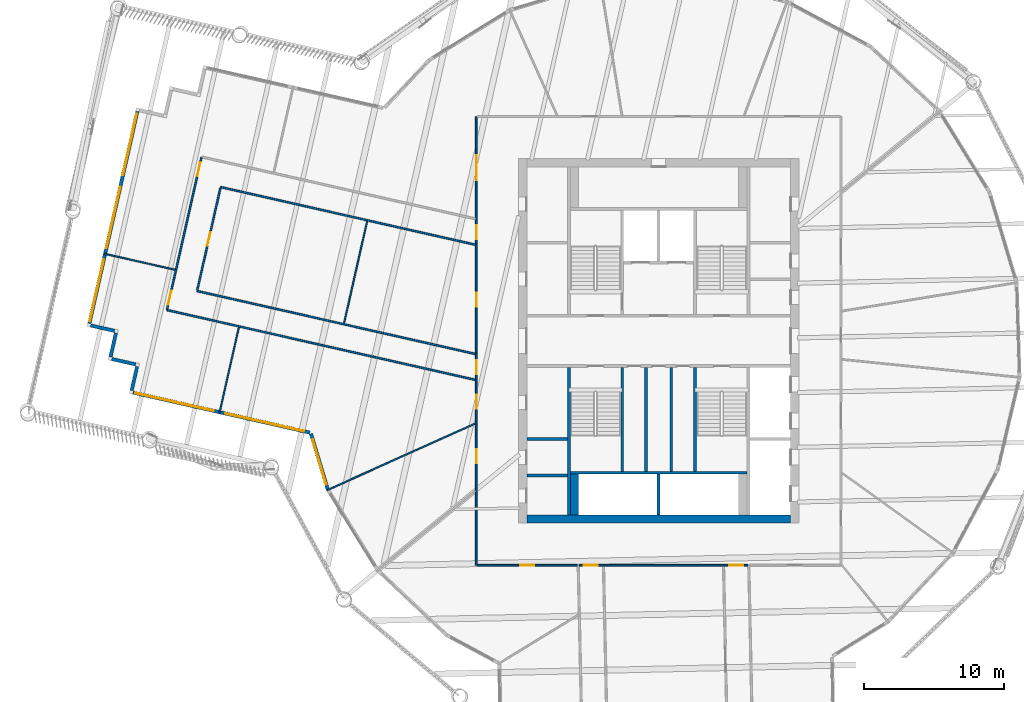
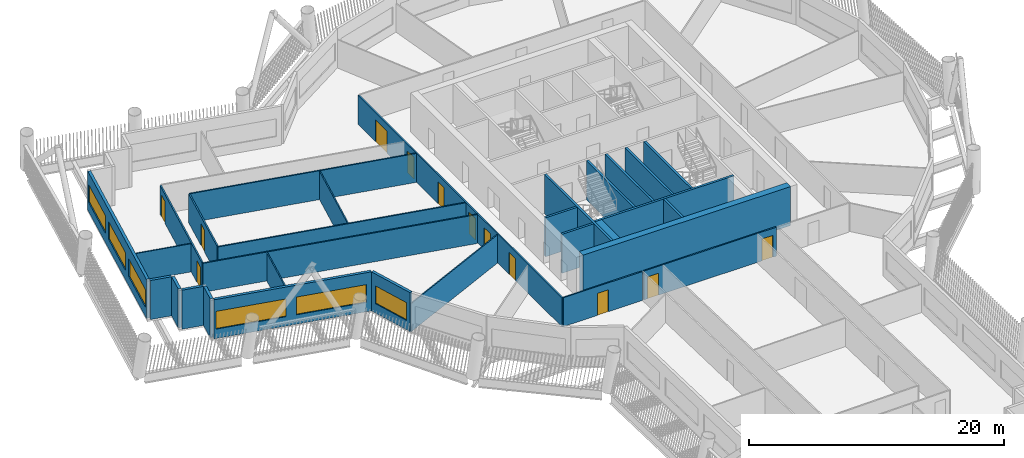
# One storey, part 4 of 23: 30 walls, 12 doors, 6 windows, 18 openings.
"""IFC4 building model written with IfcOpenShell, lengths in metres."""

import ifcopenshell
import ifcopenshell.guid

model = None  # the IFC model being written
_history = None  # IfcOwnerHistory: only IFC2X3 demands one
_inside = {}  # id of a spatial element -> (the spatial element, [elements in it])
_under = {}  # id of a project, library or spatial element -> (it, [spatial elements below it])
_declared = {}  # id of a project -> (the project, [libraries it declares])
_typed = {}  # id of a type object -> (the type object, [elements of that type])
_made_of = {}  # id of a material, layer set ... -> (it, [elements and type objects made of it])


def new_model(schema):
    """Start an empty IFC model of exactly this schema.

    Asked for "IFC4X3", IfcOpenShell would pick the latest addendum, in which some entities
    have other attributes; the version numbers below select the first issue.
    IFC2X3 requires an IfcOwnerHistory on every rooted entity: one is made here for all.
    """
    global model, _history
    if schema == "IFC4X3":
        model = ifcopenshell.file(schema_version=(4, 3, 0, 0))
    else:
        model = ifcopenshell.file(schema=schema)
    _inside.clear()
    _under.clear()
    _declared.clear()
    _typed.clear()
    _made_of.clear()
    _history = None
    if model.schema == "IFC2X3":
        org = make("IfcOrganization", Name="unknown")
        user = make(
            "IfcPersonAndOrganization",
            ThePerson=make("IfcPerson", FamilyName="unknown"),
            TheOrganization=org,
        )
        app = make(
            "IfcApplication",
            ApplicationDeveloper=org,
            Version="unknown",
            ApplicationFullName="unknown",
            ApplicationIdentifier="unknown",
        )
        _history = make(
            "IfcOwnerHistory",
            OwningUser=user,
            OwningApplication=app,
            ChangeAction="ADDED",
            CreationDate=0,
        )
    return model


def make(cls, **values):
    """One entity of the class cls with the attributes given. An attribute that is None is left unset."""
    return model.create_entity(
        cls, **{name: value for name, value in values.items() if value is not None}
    )


def rooted(cls, **values):
    """An entity with a GlobalId (a new one), such as an element, a storey or a relation."""
    return make(cls, GlobalId=ifcopenshell.guid.new(), OwnerHistory=_history, **values)


def si_unit(unit_type, name, prefix=None):
    """IfcSIUnit, for example si_unit("LENGTHUNIT", "METRE", prefix="MILLI")."""
    return make("IfcSIUnit", UnitType=unit_type, Prefix=prefix, Name=name)


def assignment(units):
    """IfcUnitAssignment: the units of a project."""
    return None if units is None else make("IfcUnitAssignment", Units=units)


def point(xyz):
    """IfcCartesianPoint."""
    return None if xyz is None else make("IfcCartesianPoint", Coordinates=xyz)


def direction(xyz):
    """IfcDirection."""
    return None if xyz is None else make("IfcDirection", DirectionRatios=xyz)


def frame(location, z_axis=None, x_axis=None):
    """IfcAxis2Placement3D, a coordinate frame: its origin and axes. An axis left out is left unset."""
    return make(
        "IfcAxis2Placement3D",
        Location=point(location),
        Axis=direction(z_axis),
        RefDirection=direction(x_axis),
    )


def frame_2d(location, x_axis=None):
    """IfcAxis2Placement2D, a coordinate frame in the plane: its origin and x axis."""
    return make(
        "IfcAxis2Placement2D", Location=point(location), RefDirection=direction(x_axis)
    )


def origin():
    """The frame at (0, 0, 0) with its axes left unset."""
    return frame((0.0, 0.0, 0.0))


def place(relative_to, where):
    """IfcLocalPlacement: puts the frame where relative to a parent placement (None: the world)."""
    return make(
        "IfcLocalPlacement", PlacementRelTo=relative_to, RelativePlacement=where
    )


def context(
    kind, dimensions, precision=None, world=None, true_north=None, identifier=None
):
    """IfcGeometricRepresentationContext, for example the 3D "Model" context."""
    return make(
        "IfcGeometricRepresentationContext",
        ContextIdentifier=identifier,
        ContextType=kind,
        CoordinateSpaceDimension=dimensions,
        Precision=precision,
        WorldCoordinateSystem=world,
        TrueNorth=true_north,
    )


def subcontext(parent, identifier, kind, view, scale=None):
    """IfcGeometricRepresentationSubContext, for example "Body" below "Model"."""
    return make(
        "IfcGeometricRepresentationSubContext",
        ContextIdentifier=identifier,
        ContextType=kind,
        ParentContext=parent,
        TargetScale=scale,
        TargetView=view,
    )


def project(units=None, contexts=None):
    """IfcProject with its units and contexts."""
    return rooted(
        "IfcProject",
        Name="project",
        RepresentationContexts=contexts,
        UnitsInContext=assignment(units),
    )


def spatial(cls, under=None, at=None, **own):
    """A site, building, storey or space (cls), placed at a placement, below another one or the project."""
    s = rooted(cls, ObjectPlacement=at, **own)
    if under is not None:
        _under.setdefault(under.id(), (under, []))[1].append(s)
    return s


def profile(cls, at=None, kind="AREA", **sizes):
    """A parametric profile (cls). Its sizes go by their IFC names, for example OverallWidth=200.0."""
    return make(cls, ProfileType=kind, Position=at, **sizes)


def rectangle(**sizes):
    """IfcRectangleProfileDef."""
    return profile("IfcRectangleProfileDef", **sizes)


def extrude(swept, where, along, depth):
    """IfcExtrudedAreaSolid: the profile swept, set in the frame where, extruded along a direction by depth."""
    return make(
        "IfcExtrudedAreaSolid",
        SweptArea=swept,
        Position=where,
        ExtrudedDirection=direction(along),
        Depth=depth,
    )


def shape(context_of_items, identifier, shape_type, items):
    """IfcShapeRepresentation: the items that make up one representation, for example the "Body"."""
    return make(
        "IfcShapeRepresentation",
        ContextOfItems=context_of_items,
        RepresentationIdentifier=identifier,
        RepresentationType=shape_type,
        Items=items,
    )


def material(Name=None, Category=None):
    """IfcMaterial."""
    return make("IfcMaterial", Name=Name, Category=Category)


def layer(
    of_material, thickness, ventilated=None, Name=None, Category=None, Priority=None
):
    """IfcMaterialLayer: one layer of a wall or slab, of a material (None: an air gap)."""
    return make(
        "IfcMaterialLayer",
        Material=of_material,
        LayerThickness=thickness,
        IsVentilated=ventilated,
        Name=Name,
        Category=Category,
        Priority=Priority,
    )


def layer_set(layers, Name=None):
    """IfcMaterialLayerSet."""
    return make("IfcMaterialLayerSet", MaterialLayers=layers, LayerSetName=Name)


def made_of(thing, what):
    """Note that an element or type object is made of a material, layer set ...; save() writes the relation."""
    if what is not None:
        _made_of.setdefault(what.id(), (what, []))[1].append(thing)
    return thing


def type_object(cls, material=None, **own):
    """A type object (cls), such as IfcWallType, which elements share."""
    return made_of(rooted(cls, **own), material)


def element(
    cls,
    number,
    at=None,
    inside=None,
    cuts=None,
    type_object=None,
    material=None,
    context=None,
    identifier="Body",
    shape_type=None,
    held_by="IfcProductDefinitionShape",
    body=None,
    shapes=None,
    **own,
):
    """One element of the class cls, such as IfcWall. Its Tag is "e" and its number.

    at: its placement. inside: the storey or other place that contains it. cuts: it is an
    opening in that element (IfcRelVoidsElement). A single representation is given by context,
    identifier, shape_type and body (its items); several are given by shapes. held_by: the class
    of the entity that holds the representations. save() writes the other relations.
    """
    e = rooted(cls, Tag="e%d" % number, ObjectPlacement=at, **own)
    if body is not None:
        shapes = [shape(context, identifier, shape_type, body)]
    if shapes is not None:
        e.Representation = make(held_by, Representations=shapes)
    if inside is not None:
        _inside.setdefault(inside.id(), (inside, []))[1].append(e)
    if cuts is not None:
        rooted(
            "IfcRelVoidsElement", RelatingBuildingElement=cuts, RelatedOpeningElement=e
        )
    if type_object is not None:
        _typed.setdefault(type_object.id(), (type_object, []))[1].append(e)
    return made_of(e, material)


def fill(opening, filler):
    """IfcRelFillsElement: the door or window that sits in an opening."""
    return rooted(
        "IfcRelFillsElement",
        RelatingOpeningElement=opening,
        RelatedBuildingElement=filler,
    )


def aggregate(whole, parts):
    """IfcRelAggregates: a whole, such as a stair, and the parts it consists of."""
    return rooted("IfcRelAggregates", RelatingObject=whole, RelatedObjects=parts)


def save(model, path):
    """Write the relations noted so far, then the file.

    IfcRelAggregates (storeys below a building ...), IfcRelContainedInSpatialStructure (elements
    in a storey), IfcRelDefinesByType, IfcRelAssociatesMaterial and IfcRelDeclares: one each for
    every whole, place, type object, material and project.
    """
    for whole, parts in _under.values():
        aggregate(whole, parts)
    for where, things in _inside.values():
        rooted(
            "IfcRelContainedInSpatialStructure",
            RelatedElements=things,
            RelatingStructure=where,
        )
    for kind, things in _typed.values():
        rooted("IfcRelDefinesByType", RelatedObjects=things, RelatingType=kind)
    for what, things in _made_of.values():
        rooted("IfcRelAssociatesMaterial", RelatedObjects=things, RelatingMaterial=what)
    for by, libraries in _declared.values():
        rooted("IfcRelDeclares", RelatingContext=by, RelatedDefinitions=libraries)
    model.write(path)


model = new_model("IFC4")

# Units and contexts
model_context = context("Model", 3, precision=1e-05, world=origin(), true_north=direction((0.0, 1.0)))
body_context = subcontext(model_context, "Body", "Model", "MODEL_VIEW")
ifc_project = project(units=[si_unit("LENGTHUNIT", "METRE"), si_unit("AREAUNIT", "SQUARE_METRE"), si_unit("VOLUMEUNIT", "CUBIC_METRE"), si_unit("PLANEANGLEUNIT", "RADIAN"), si_unit("MASSUNIT", "GRAM", prefix="KILO")], contexts=[model_context])

# Site, building, storey
site_placement = place(None, origin())
site = spatial("IfcSite", under=ifc_project, at=site_placement, CompositionType="ELEMENT")
building_placement = place(site_placement, origin())
building = spatial("IfcBuilding", under=site, at=building_placement, Name="Tarsis Ring Headquarters", CompositionType="ELEMENT")
storey_placement = place(building_placement, frame((0.0, 0.0, 231.60009765625)))
storey = spatial("IfcBuildingStorey", under=building, at=storey_placement, Name="L54", CompositionType="ELEMENT", Elevation=231.60009765625)

# Walls
ifc_material_1 = material(Name="Blockwork", Category="masonry")
ifc_layer_1 = layer(ifc_material_1, 0.199951171875)
ifc_layer_set_1 = layer_set([ifc_layer_1], Name="Core blockwork wall 200")
wall_type_1 = type_object("IfcWallType", Name="Core blockwork wall 200", PredefinedType="PARTITIONING", material=ifc_layer_set_1)
for number, where, z_axis, x_axis, name in (
    (1, (-9.39990234375, -9.60009765625, 0.0), (0.0, 0.0, 1.0), (1.0, 0.0, 0.0), "Core partition WD1"),
    (2, (-9.39990234375, -7.0, 0.0), (0.0, 0.0, 1.0), (1.0, 0.0, 0.0), "Core partition WD2"),
):
    element("IfcWall", number, at=place(storey_placement, frame(where, z_axis=z_axis, x_axis=x_axis)), inside=storey, type_object=wall_type_1, Name=name, PredefinedType="PARTITIONING", context=body_context, shape_type="SweptSolid", body=[
        extrude(rectangle(XDim=2.89990234375, YDim=0.199951171875, at=frame_2d((1.449951171875, 0.0))), origin(), (0.0, 0.0, 1.0), 3.739990234375),
    ])
for number, where, z_axis, x_axis, name in (
    (3, (-0.89990234375, -9.300048828125, 0.0), (0.0, 0.0, 1.0), (0.0, 1.0, 0.0), "Core partition SV1"),
    (4, (0.89990234375, -9.300048828125, 0.0), (0.0, 0.0, 1.0), (0.0, 1.0, 0.0), "Core partition SV2"),
):
    element("IfcWall", number, at=place(storey_placement, frame(where, z_axis=z_axis, x_axis=x_axis)), inside=storey, type_object=wall_type_1, Name=name, PredefinedType="PARTITIONING", context=body_context, shape_type="SweptSolid", body=[
        extrude(rectangle(XDim=7.400146484375, YDim=0.199951171875, at=frame_2d((3.7001953125, 0.0))), origin(), (0.0, 0.0, 1.0), 3.739990234375),
    ])
ifc_material_2 = material(Name="Concrete C50/60", Category="concrete")
ifc_layer_2 = layer(ifc_material_2, 0.60009765625)
ifc_layer_set_2 = layer_set([ifc_layer_2], Name="Core wall 600 C50/60")
wall_type_2 = type_object("IfcWallType", Name="Core wall 600 C50/60", PredefinedType="SHEAR", material=ifc_layer_set_2)
wall_1_placement = place(storey_placement, frame((-9.39990234375, -12.699951171875, 0.0), z_axis=(0.0, 0.0, 1.0), x_axis=(1.0, 0.0, 0.0)))
element("IfcWall", 5, at=wall_1_placement, inside=storey, type_object=wall_type_2, Name="Core wall OS", PredefinedType="SHEAR", context=body_context, shape_type="SweptSolid", body=[
    extrude(rectangle(XDim=18.7998046875, YDim=0.60009765625, at=frame_2d((9.39990234375, 0.0))), origin(), (0.0, 0.0, 1.0), 3.739990234375),
])
ifc_material_3 = material(Name="Gypsum board on steel studs", Category="steel")
ifc_layer_3 = layer(ifc_material_3, 0.10009765625)
ifc_layer_set_3 = layer_set([ifc_layer_3], Name="FL partition 100 unrated")
wall_type_3 = type_object("IfcWallType", Name="FL partition 100 unrated", PredefinedType="PARTITIONING", material=ifc_layer_set_3)
wall_2_placement = place(storey_placement, frame((-23.66015625, -10.653076171875, 0.0), z_axis=(0.0, 0.0, 1.0), x_axis=(0.911836896838, 0.410552644085, 0.0)))
element("IfcWall", 6, at=wall_2_placement, inside=storey, type_object=wall_type_3, Name="Partition PW3", PredefinedType="PARTITIONING", context=body_context, shape_type="SweptSolid", body=[
    extrude(rectangle(XDim=11.61083984375, YDim=0.10009765625, at=frame_2d((5.805419921875, 0.0))), origin(), (0.0, 0.0, 1.0), 2.699951171875),
])
wall_3_placement = place(storey_placement, frame((-22.4365234375, 1.256591796875, 0.0), z_axis=(0.0, 0.0, 1.0), x_axis=(0.220875579786, 0.975301993361, 0.0)))
element("IfcWall", 7, at=wall_3_placement, inside=storey, type_object=wall_type_3, Name="Partition PW3", PredefinedType="PARTITIONING", context=body_context, shape_type="SweptSolid", body=[
    extrude(rectangle(XDim=7.4599609375, YDim=0.10009765625, at=frame_2d((3.72998046875, 0.0))), origin(), (0.0, 0.0, 1.0), 2.699951171875),
])
wall_4_placement = place(storey_placement, frame((-31.322998046875, -5.1591796875, 0.0), z_axis=(0.0, 0.0, 1.0), x_axis=(0.220851468562, 0.97530745349, 0.0)))
element("IfcWall", 8, at=wall_4_placement, inside=storey, type_object=wall_type_3, Name="Partition PW3", PredefinedType="PARTITIONING", context=body_context, shape_type="SweptSolid", body=[
    extrude(rectangle(XDim=6.280029296875, YDim=0.10009765625, at=frame_2d((3.14013671875, 0.0))), origin(), (0.0, 0.0, 1.0), 2.699951171875),
])
wall_5_placement = place(storey_placement, frame((-39.552978515625, 6.219482421875, 0.0), z_axis=(0.0, 0.0, 1.0), x_axis=(0.975305843187, -0.220858579741, 0.0)))
element("IfcWall", 9, at=wall_5_placement, inside=storey, type_object=wall_type_3, Name="Partition PW3", PredefinedType="PARTITIONING", context=body_context, shape_type="SweptSolid", body=[
    extrude(rectangle(XDim=5.18994140625, YDim=0.10009765625, at=frame_2d((2.594970703125, 0.0))), origin(), (0.0, 0.0, 1.0), 2.699951171875),
])

# Wall, openings, doors
ifc_layer_4 = layer(ifc_material_3, 0.125)
ifc_layer_set_4 = layer_set([ifc_layer_4], Name="FL partition 125 EI 60 H2770")
wall_type_4 = type_object("IfcWallType", Name="FL partition 125 EI 60 H2770", PredefinedType="PARTITIONING", material=ifc_layer_set_4)
wall_6_placement = place(storey_placement, frame((-13.0, -16.0, 0.0), z_axis=(0.0, 0.0, 1.0), x_axis=(0.0, 1.0, 0.0)))
wall_6 = element("IfcWall", 10, at=wall_6_placement, inside=storey, type_object=wall_type_4, Name="Partition PW1", PredefinedType="PARTITIONING", context=body_context, shape_type="SweptSolid", body=[
    extrude(rectangle(XDim=32.0, YDim=0.125, at=frame_2d((16.0, 0.0))), origin(), (0.0, 0.0, 1.0), 2.77001953125),
])
opening_1_placement = place(wall_6_placement, frame((27.44287109375, 0.0, 0.0)))
opening_1 = element("IfcOpeningElement", 11, at=opening_1_placement, cuts=wall_6, Name="Opening D54.03", PredefinedType="OPENING", context=body_context, shape_type="SweptSolid", body=[
    extrude(rectangle(XDim=1.800048828125, YDim=2.10009765625, at=frame_2d((0.89990234375, 1.050048828125))), frame((0.0, 0.072509765625, 0.0), z_axis=(0.0, -1.0, 0.0), x_axis=(1.0, 0.0, 0.0)), (0.0, 0.0, 1.0), 0.14501953125),
])
opening_2_placement = place(wall_6_placement, frame((7.264404296875, 0.0, 0.0)))
opening_2 = element("IfcOpeningElement", 12, at=opening_2_placement, cuts=wall_6, Name="Opening D54.17", PredefinedType="OPENING", context=body_context, shape_type="SweptSolid", body=[
    extrude(rectangle(XDim=1.0, YDim=2.10009765625, at=frame_2d((0.5, 1.050048828125))), frame((0.0, 0.072509765625, 0.0), z_axis=(0.0, -1.0, 0.0), x_axis=(1.0, 0.0, 0.0)), (0.0, 0.0, 1.0), 0.14501953125),
])
opening_3_placement = place(wall_6_placement, frame((11.17431640625, 0.0, 0.0)))
opening_3 = element("IfcOpeningElement", 13, at=opening_3_placement, cuts=wall_6, Name="Opening D54.18", PredefinedType="OPENING", context=body_context, shape_type="SweptSolid", body=[
    extrude(rectangle(XDim=1.0, YDim=2.10009765625, at=frame_2d((0.5, 1.050048828125))), frame((0.0, 0.072509765625, 0.0), z_axis=(0.0, -1.0, 0.0), x_axis=(1.0, 0.0, 0.0)), (0.0, 0.0, 1.0), 0.14501953125),
])
opening_4_placement = place(wall_6_placement, frame((18.444091796875, 0.0, 0.0)))
opening_4 = element("IfcOpeningElement", 14, at=opening_4_placement, cuts=wall_6, Name="Opening D54.19", PredefinedType="OPENING", context=body_context, shape_type="SweptSolid", body=[
    extrude(rectangle(XDim=1.0, YDim=2.10009765625, at=frame_2d((0.5, 1.050048828125))), frame((0.0, 0.072509765625, 0.0), z_axis=(0.0, -1.0, 0.0), x_axis=(1.0, 0.0, 0.0)), (0.0, 0.0, 1.0), 0.14501953125),
])
opening_5_placement = place(wall_6_placement, frame((13.625, 0.0, 0.0)))
opening_5 = element("IfcOpeningElement", 15, at=opening_5_placement, cuts=wall_6, Name="Opening D54.25", PredefinedType="OPENING", context=body_context, shape_type="SweptSolid", body=[
    extrude(rectangle(XDim=1.0, YDim=2.10009765625, at=frame_2d((0.5, 1.050048828125))), frame((0.0, 0.072509765625, 0.0), z_axis=(0.0, -1.0, 0.0), x_axis=(1.0, 0.0, 0.0)), (0.0, 0.0, 1.0), 0.14501953125),
])
opening_6_placement = place(wall_6_placement, frame((23.262939453125, 0.0, 0.0)))
opening_6 = element("IfcOpeningElement", 16, at=opening_6_placement, cuts=wall_6, Name="Opening D54.26", PredefinedType="OPENING", context=body_context, shape_type="SweptSolid", body=[
    extrude(rectangle(XDim=1.0, YDim=2.10009765625, at=frame_2d((0.5, 1.050048828125))), frame((0.0, 0.072509765625, 0.0), z_axis=(0.0, -1.0, 0.0), x_axis=(1.0, 0.0, 0.0)), (0.0, 0.0, 1.0), 0.14501953125),
])
ifc_material_4 = material(Name="Fire-rated timber door leaf in steel frame", Category="steel")
door_type_1 = type_object("IfcDoorType", Name="FL door FD60-1000", OperationType="NOTDEFINED", PredefinedType="DOOR", material=ifc_material_4)
door_1_placement = place(opening_2_placement, origin())
door_1 = element("IfcDoor", 17, at=door_1_placement, inside=storey, type_object=door_type_1, Name="Door D54.17", OperationType="SINGLE_SWING_LEFT", OverallHeight=2.10009765625, OverallWidth=1.0, PredefinedType="DOOR", context=body_context, shape_type="SweptSolid", body=[
    extrude(rectangle(XDim=1.0, YDim=2.10009765625, at=frame_2d((0.5, 1.050048828125))), frame((0.0, 0.02490234375, 0.0), z_axis=(0.0, -1.0, 0.0), x_axis=(1.0, 0.0, 0.0)), (0.0, 0.0, 1.0), 0.050048828125),
])
fill(opening_2, door_1)
door_2_placement = place(opening_3_placement, origin())
door_2 = element("IfcDoor", 18, at=door_2_placement, inside=storey, type_object=door_type_1, Name="Door D54.18", OperationType="SINGLE_SWING_RIGHT", OverallHeight=2.10009765625, OverallWidth=1.0, PredefinedType="DOOR", context=body_context, shape_type="SweptSolid", body=[
    extrude(rectangle(XDim=1.0, YDim=2.10009765625, at=frame_2d((0.5, 1.050048828125))), frame((0.0, 0.02490234375, 0.0), z_axis=(0.0, -1.0, 0.0), x_axis=(1.0, 0.0, 0.0)), (0.0, 0.0, 1.0), 0.050048828125),
])
fill(opening_3, door_2)
door_3_placement = place(opening_4_placement, origin())
door_3 = element("IfcDoor", 19, at=door_3_placement, inside=storey, type_object=door_type_1, Name="Door D54.19", OperationType="SINGLE_SWING_LEFT", OverallHeight=2.10009765625, OverallWidth=1.0, PredefinedType="DOOR", context=body_context, shape_type="SweptSolid", body=[
    extrude(rectangle(XDim=1.0, YDim=2.10009765625, at=frame_2d((0.5, 1.050048828125))), frame((0.0, 0.02490234375, 0.0), z_axis=(0.0, -1.0, 0.0), x_axis=(1.0, 0.0, 0.0)), (0.0, 0.0, 1.0), 0.050048828125),
])
fill(opening_4, door_3)
door_4_placement = place(opening_5_placement, origin())
door_4 = element("IfcDoor", 20, at=door_4_placement, inside=storey, type_object=door_type_1, Name="Door D54.25", OperationType="SINGLE_SWING_LEFT", OverallHeight=2.10009765625, OverallWidth=1.0, PredefinedType="DOOR", context=body_context, shape_type="SweptSolid", body=[
    extrude(rectangle(XDim=1.0, YDim=2.10009765625, at=frame_2d((0.5, 1.050048828125))), frame((0.0, 0.02490234375, 0.0), z_axis=(0.0, -1.0, 0.0), x_axis=(1.0, 0.0, 0.0)), (0.0, 0.0, 1.0), 0.050048828125),
])
fill(opening_5, door_4)
door_5_placement = place(opening_6_placement, origin())
door_5 = element("IfcDoor", 21, at=door_5_placement, inside=storey, type_object=door_type_1, Name="Door D54.26", OperationType="SINGLE_SWING_RIGHT", OverallHeight=2.10009765625, OverallWidth=1.0, PredefinedType="DOOR", context=body_context, shape_type="SweptSolid", body=[
    extrude(rectangle(XDim=1.0, YDim=2.10009765625, at=frame_2d((0.5, 1.050048828125))), frame((0.0, 0.02490234375, 0.0), z_axis=(0.0, -1.0, 0.0), x_axis=(1.0, 0.0, 0.0)), (0.0, 0.0, 1.0), 0.050048828125),
])
fill(opening_6, door_5)
door_type_2 = type_object("IfcDoorType", Name="FL door FD60-1800", OperationType="DOUBLE_DOOR_SINGLE_SWING", PredefinedType="DOOR", material=ifc_material_4)
door_6_placement = place(opening_1_placement, origin())
door_6 = element("IfcDoor", 22, at=door_6_placement, inside=storey, type_object=door_type_2, Name="Door D54.03", OperationType="DOUBLE_DOOR_SINGLE_SWING", OverallHeight=2.10009765625, OverallWidth=1.800048828125, PredefinedType="DOOR", context=body_context, shape_type="SweptSolid", body=[
    extrude(rectangle(XDim=1.800048828125, YDim=2.10009765625, at=frame_2d((0.89990234375, 1.050048828125))), frame((0.0, 0.02490234375, 0.0), z_axis=(0.0, -1.0, 0.0), x_axis=(1.0, 0.0, 0.0)), (0.0, 0.0, 1.0), 0.050048828125),
])
fill(opening_1, door_6)

# Wall, opening, door
wall_7_placement = place(storey_placement, frame((-12.93994140625, -16.0, 0.0), z_axis=(0.0, 0.0, 1.0), x_axis=(1.0, 0.0, 0.0)))
wall_7 = element("IfcWall", 23, at=wall_7_placement, inside=storey, type_object=wall_type_4, Name="Partition PW1", PredefinedType="PARTITIONING", context=body_context, shape_type="SweptSolid", body=[
    extrude(rectangle(XDim=7.142333984375, YDim=0.125, at=frame_2d((3.5712890625, 0.0))), origin(), (0.0, 0.0, 1.0), 2.77001953125),
])
opening_7_placement = place(wall_7_placement, frame((3.072509765625, 0.0, 0.0)))
opening_7 = element("IfcOpeningElement", 24, at=opening_7_placement, cuts=wall_7, Name="Opening D54.16", PredefinedType="OPENING", context=body_context, shape_type="SweptSolid", body=[
    extrude(rectangle(XDim=1.0, YDim=2.10009765625, at=frame_2d((0.5, 1.050048828125))), frame((0.0, 0.072509765625, 0.0), z_axis=(0.0, -1.0, 0.0), x_axis=(1.0, 0.0, 0.0)), (0.0, 0.0, 1.0), 0.14501953125),
])
door_7_placement = place(opening_7_placement, origin())
door_7 = element("IfcDoor", 25, at=door_7_placement, inside=storey, type_object=door_type_1, Name="Door D54.16", OperationType="SINGLE_SWING_RIGHT", OverallHeight=2.10009765625, OverallWidth=1.0, PredefinedType="DOOR", context=body_context, shape_type="SweptSolid", body=[
    extrude(rectangle(XDim=1.0, YDim=2.10009765625, at=frame_2d((0.5, 1.050048828125))), frame((0.0, 0.02490234375, 0.0), z_axis=(0.0, -1.0, 0.0), x_axis=(1.0, 0.0, 0.0)), (0.0, 0.0, 1.0), 0.050048828125),
])
fill(opening_7, door_7)

# Wall, openings, doors
wall_8_placement = place(storey_placement, frame((-5.671142578125, -16.0, 0.0), z_axis=(0.0, 0.0, 1.0), x_axis=(1.0, 0.0, 0.0)))
wall_8 = element("IfcWall", 26, at=wall_8_placement, inside=storey, type_object=wall_type_4, Name="Partition PW1", PredefinedType="PARTITIONING", context=body_context, shape_type="SweptSolid", body=[
    extrude(rectangle(XDim=12.036376953125, YDim=0.125, at=frame_2d((6.01806640625, 0.0))), origin(), (0.0, 0.0, 1.0), 2.77001953125),
])
opening_8_placement = place(wall_8_placement, frame((0.336181640625, 0.0, 0.0)))
opening_8 = element("IfcOpeningElement", 27, at=opening_8_placement, cuts=wall_8, Name="Opening D54.23", PredefinedType="OPENING", context=body_context, shape_type="SweptSolid", body=[
    extrude(rectangle(XDim=1.0, YDim=2.10009765625, at=frame_2d((0.5, 1.050048828125))), frame((0.0, 0.072509765625, 0.0), z_axis=(0.0, -1.0, 0.0), x_axis=(1.0, 0.0, 0.0)), (0.0, 0.0, 1.0), 0.14501953125),
])
opening_9_placement = place(wall_8_placement, frame((10.69873046875, 0.0, 0.0)))
opening_9 = element("IfcOpeningElement", 28, at=opening_9_placement, cuts=wall_8, Name="Opening D54.24", PredefinedType="OPENING", context=body_context, shape_type="SweptSolid", body=[
    extrude(rectangle(XDim=1.0, YDim=2.10009765625, at=frame_2d((0.5, 1.050048828125))), frame((0.0, 0.072509765625, 0.0), z_axis=(0.0, -1.0, 0.0), x_axis=(1.0, 0.0, 0.0)), (0.0, 0.0, 1.0), 0.14501953125),
])
door_8_placement = place(opening_8_placement, origin())
door_8 = element("IfcDoor", 29, at=door_8_placement, inside=storey, type_object=door_type_1, Name="Door D54.23", OperationType="SINGLE_SWING_LEFT", OverallHeight=2.10009765625, OverallWidth=1.0, PredefinedType="DOOR", context=body_context, shape_type="SweptSolid", body=[
    extrude(rectangle(XDim=1.0, YDim=2.10009765625, at=frame_2d((0.5, 1.050048828125))), frame((0.0, 0.02490234375, 0.0), z_axis=(0.0, -1.0, 0.0), x_axis=(1.0, 0.0, 0.0)), (0.0, 0.0, 1.0), 0.050048828125),
])
fill(opening_8, door_8)
door_9_placement = place(opening_9_placement, origin())
door_9 = element("IfcDoor", 30, at=door_9_placement, inside=storey, type_object=door_type_1, Name="Door D54.24", OperationType="SINGLE_SWING_RIGHT", OverallHeight=2.10009765625, OverallWidth=1.0, PredefinedType="DOOR", context=body_context, shape_type="SweptSolid", body=[
    extrude(rectangle(XDim=1.0, YDim=2.10009765625, at=frame_2d((0.5, 1.050048828125))), frame((0.0, 0.02490234375, 0.0), z_axis=(0.0, -1.0, 0.0), x_axis=(1.0, 0.0, 0.0)), (0.0, 0.0, 1.0), 0.050048828125),
])
fill(opening_9, door_9)

# Walls
wall_9_placement = place(storey_placement, frame((-35.070068359375, 2.2001953125, 0.0), z_axis=(0.0, 0.0, 1.0), x_axis=(0.975302347121, -0.220874017714, 0.0)))
element("IfcWall", 31, at=wall_9_placement, inside=storey, type_object=wall_type_4, Name="Partition PW1", PredefinedType="PARTITIONING", context=body_context, shape_type="SweptSolid", body=[
    extrude(rectangle(XDim=22.558837890625, YDim=0.125, at=frame_2d((11.279296875, 0.0))), origin(), (0.0, 0.0, 1.0), 2.77001953125),
])
wall_10_placement = place(storey_placement, frame((-32.9169921875, 3.55810546875, 0.0), z_axis=(0.0, 0.0, 1.0), x_axis=(0.975304377075, -0.220865053952, 0.0)))
element("IfcWall", 32, at=wall_10_placement, inside=storey, type_object=wall_type_4, Name="Partition PW1", PredefinedType="PARTITIONING", context=body_context, shape_type="SweptSolid", body=[
    extrude(rectangle(XDim=20.351318359375, YDim=0.125, at=frame_2d((10.17578125, 0.0))), origin(), (0.0, 0.0, 1.0), 2.77001953125),
])
wall_11_placement = place(storey_placement, frame((-31.23828125, 10.970458984375, 0.0), z_axis=(0.0, 0.0, 1.0), x_axis=(0.975304032077, -0.220866577403, 0.0)))
element("IfcWall", 33, at=wall_11_placement, inside=storey, type_object=wall_type_4, Name="Partition PW1", PredefinedType="PARTITIONING", context=body_context, shape_type="SweptSolid", body=[
    extrude(rectangle(XDim=18.630126953125, YDim=0.125, at=frame_2d((9.31494140625, 0.0))), origin(), (0.0, 0.0, 1.0), 2.77001953125),
])

# Wall, openings, doors
wall_12_placement = place(storey_placement, frame((-35.056884765625, 2.2587890625, 0.0), z_axis=(0.0, 0.0, 1.0), x_axis=(0.220871526615, 0.975302911269, 0.0)))
wall_12 = element("IfcWall", 34, at=wall_12_placement, inside=storey, type_object=wall_type_4, Name="Partition PW1", PredefinedType="PARTITIONING", context=body_context, shape_type="SweptSolid", body=[
    extrude(rectangle(XDim=11.080078125, YDim=0.125, at=frame_2d((5.5400390625, 0.0))), origin(), (0.0, 0.0, 1.0), 2.77001953125),
])
opening_10_placement = place(wall_12_placement, frame((0.340087890625, 0.0, 0.0)))
opening_10 = element("IfcOpeningElement", 35, at=opening_10_placement, cuts=wall_12, Name="Opening D54.01", PredefinedType="OPENING", context=body_context, shape_type="SweptSolid", body=[
    extrude(rectangle(XDim=1.0, YDim=2.10009765625, at=frame_2d((0.5, 1.050048828125))), frame((0.0, 0.072509765625, 0.0), z_axis=(0.0, -1.0, 0.0), x_axis=(1.0, 0.0, 0.0)), (0.0, 0.0, 1.0), 0.14501953125),
])
opening_11_placement = place(wall_12_placement, frame((9.739990234375, 0.0, 0.0)))
opening_11 = element("IfcOpeningElement", 36, at=opening_11_placement, cuts=wall_12, Name="Opening D54.02", PredefinedType="OPENING", context=body_context, shape_type="SweptSolid", body=[
    extrude(rectangle(XDim=1.0, YDim=2.10009765625, at=frame_2d((0.5, 1.050048828125))), frame((0.0, 0.072509765625, 0.0), z_axis=(0.0, -1.0, 0.0), x_axis=(1.0, 0.0, 0.0)), (0.0, 0.0, 1.0), 0.14501953125),
])
door_10_placement = place(opening_10_placement, origin())
door_10 = element("IfcDoor", 37, at=door_10_placement, inside=storey, type_object=door_type_1, Name="Door D54.01", OperationType="SINGLE_SWING_LEFT", OverallHeight=2.10009765625, OverallWidth=1.0, PredefinedType="DOOR", context=body_context, shape_type="SweptSolid", body=[
    extrude(rectangle(XDim=1.0, YDim=2.10009765625, at=frame_2d((0.5, 1.050048828125))), frame((0.0, 0.02490234375, 0.0), z_axis=(0.0, -1.0, 0.0), x_axis=(1.0, 0.0, 0.0)), (0.0, 0.0, 1.0), 0.050048828125),
])
fill(opening_10, door_10)
door_11_placement = place(opening_11_placement, origin())
door_11 = element("IfcDoor", 38, at=door_11_placement, inside=storey, type_object=door_type_1, Name="Door D54.02", OperationType="SINGLE_SWING_RIGHT", OverallHeight=2.10009765625, OverallWidth=1.0, PredefinedType="DOOR", context=body_context, shape_type="SweptSolid", body=[
    extrude(rectangle(XDim=1.0, YDim=2.10009765625, at=frame_2d((0.5, 1.050048828125))), frame((0.0, 0.02490234375, 0.0), z_axis=(0.0, -1.0, 0.0), x_axis=(1.0, 0.0, 0.0)), (0.0, 0.0, 1.0), 0.050048828125),
])
fill(opening_11, door_11)

# Wall, opening, door
wall_13_placement = place(storey_placement, frame((-32.90380859375, 3.61669921875, 0.0), z_axis=(0.0, 0.0, 1.0), x_axis=(0.220864900439, 0.97530441184, 0.0)))
wall_13 = element("IfcWall", 39, at=wall_13_placement, inside=storey, type_object=wall_type_4, Name="Partition PW1", PredefinedType="PARTITIONING", context=body_context, shape_type="SweptSolid", body=[
    extrude(rectangle(XDim=7.480224609375, YDim=0.125, at=frame_2d((3.740234375, 0.0))), origin(), (0.0, 0.0, 1.0), 2.77001953125),
])
opening_12_placement = place(wall_13_placement, frame((3.239990234375, 0.0, 0.0)))
opening_12 = element("IfcOpeningElement", 40, at=opening_12_placement, cuts=wall_13, Name="Opening D54.20", PredefinedType="OPENING", context=body_context, shape_type="SweptSolid", body=[
    extrude(rectangle(XDim=1.0, YDim=2.10009765625, at=frame_2d((0.5, 1.050048828125))), frame((0.0, 0.072509765625, 0.0), z_axis=(0.0, -1.0, 0.0), x_axis=(1.0, 0.0, 0.0)), (0.0, 0.0, 1.0), 0.14501953125),
])
door_12_placement = place(opening_12_placement, origin())
door_12 = element("IfcDoor", 41, at=door_12_placement, inside=storey, type_object=door_type_1, Name="Door D54.20", OperationType="SINGLE_SWING_RIGHT", OverallHeight=2.10009765625, OverallWidth=1.0, PredefinedType="DOOR", context=body_context, shape_type="SweptSolid", body=[
    extrude(rectangle(XDim=1.0, YDim=2.10009765625, at=frame_2d((0.5, 1.050048828125))), frame((0.0, 0.02490234375, 0.0), z_axis=(0.0, -1.0, 0.0), x_axis=(1.0, 0.0, 0.0)), (0.0, 0.0, 1.0), 0.050048828125),
])
fill(opening_12, door_12)

# Wall, openings, windows
ifc_material_5 = material(Name="Terracotta clad insulated panel wall", Category="masonry")
ifc_layer_5 = layer(ifc_material_5, 0.25)
ifc_layer_set_5 = layer_set([ifc_layer_5], Name="Facade wall terracotta panel 250")
wall_type_5 = type_object("IfcWallType", Name="Facade wall terracotta panel 250", PredefinedType="STANDARD", material=ifc_layer_set_5)
wall_14_placement = place(storey_placement, frame((-37.489990234375, -3.685791015625, 0.0), z_axis=(0.0, 0.0, 1.0), x_axis=(0.975305160093, -0.220861596247, 0.0)))
wall_14 = element("IfcWall", 42, at=wall_14_placement, inside=storey, type_object=wall_type_5, Name="External wall L54-01", PredefinedType="STANDARD", context=body_context, shape_type="SweptSolid", body=[
    extrude(rectangle(XDim=12.922119140625, YDim=0.25, at=frame_2d((6.4609375, 0.0))), origin(), (0.0, 0.0, 1.0), 3.739990234375),
])
opening_13_placement = place(wall_14_placement, frame((0.16796875, 0.0, 0.89990234375)))
opening_13 = element("IfcOpeningElement", 43, at=opening_13_placement, cuts=wall_14, Name="Opening WN06", PredefinedType="OPENING", context=body_context, shape_type="SweptSolid", body=[
    extrude(rectangle(XDim=5.75, YDim=1.699951171875, at=frame_2d((2.875, 0.85009765625))), frame((0.0, 0.135009765625, 0.0), z_axis=(0.0, -1.0, 0.0), x_axis=(1.0, 0.0, 0.0)), (0.0, 0.0, 1.0), 0.27001953125),
])
opening_14_placement = place(wall_14_placement, frame((6.75390625, 0.0, 0.89990234375)))
opening_14 = element("IfcOpeningElement", 44, at=opening_14_placement, cuts=wall_14, Name="Opening WN06", PredefinedType="OPENING", context=body_context, shape_type="SweptSolid", body=[
    extrude(rectangle(XDim=5.75, YDim=1.699951171875, at=frame_2d((2.875, 0.85009765625))), frame((0.0, 0.135009765625, 0.0), z_axis=(0.0, -1.0, 0.0), x_axis=(1.0, 0.0, 0.0)), (0.0, 0.0, 1.0), 0.27001953125),
])
ifc_material_6 = material(Name="Aluminium framed double glazing", Category="aluminium")
window_type_1 = type_object("IfcWindowType", Name="Facade window 5750 x 1700", PartitioningType="SINGLE_PANEL", PredefinedType="WINDOW", material=ifc_material_6)
window_1_placement = place(opening_13_placement, origin())
window_1 = element("IfcWindow", 45, at=window_1_placement, inside=storey, type_object=window_type_1, Name="Window L54-01.1", OverallHeight=1.699951171875, OverallWidth=5.75, PartitioningType="SINGLE_PANEL", PredefinedType="WINDOW", context=body_context, shape_type="SweptSolid", body=[
    extrude(rectangle(XDim=5.75, YDim=1.699951171875, at=frame_2d((2.875, 0.85009765625))), frame((0.0, 0.030029296875, 0.0), z_axis=(0.0, -1.0, 0.0), x_axis=(1.0, 0.0, 0.0)), (0.0, 0.0, 1.0), 0.06005859375),
])
fill(opening_13, window_1)
window_2_placement = place(opening_14_placement, origin())
window_2 = element("IfcWindow", 46, at=window_2_placement, inside=storey, type_object=window_type_1, Name="Window L54-01.2", OverallHeight=1.699951171875, OverallWidth=5.75, PartitioningType="SINGLE_PANEL", PredefinedType="WINDOW", context=body_context, shape_type="SweptSolid", body=[
    extrude(rectangle(XDim=5.75, YDim=1.699951171875, at=frame_2d((2.875, 0.85009765625))), frame((0.0, 0.030029296875, 0.0), z_axis=(0.0, -1.0, 0.0), x_axis=(1.0, 0.0, 0.0)), (0.0, 0.0, 1.0), 0.06005859375),
])
fill(opening_14, window_2)

# Wall, opening, window
wall_15_placement = place(storey_placement, frame((-24.794921875, -6.625732421875, 0.0), z_axis=(0.0, 0.0, 1.0), x_axis=(0.288042804205, -0.957617534794, 0.0)))
wall_15 = element("IfcWall", 47, at=wall_15_placement, inside=storey, type_object=wall_type_5, Name="External wall L54-02", PredefinedType="STANDARD", context=body_context, shape_type="SweptSolid", body=[
    extrude(rectangle(XDim=4.157470703125, YDim=0.25, at=frame_2d((2.07861328125, 0.0))), origin(), (0.0, 0.0, 1.0), 3.739990234375),
])
opening_15_placement = place(wall_15_placement, frame((0.420166015625, 0.0, 0.89990234375)))
opening_15 = element("IfcOpeningElement", 48, at=opening_15_placement, cuts=wall_15, Name="Opening WN01", PredefinedType="OPENING", context=body_context, shape_type="SweptSolid", body=[
    extrude(rectangle(XDim=3.35009765625, YDim=1.699951171875, at=frame_2d((1.675048828125, 0.85009765625))), frame((0.0, 0.135009765625, 0.0), z_axis=(0.0, -1.0, 0.0), x_axis=(1.0, 0.0, 0.0)), (0.0, 0.0, 1.0), 0.27001953125),
])
window_type_2 = type_object("IfcWindowType", Name="Facade window 3350 x 1700", PartitioningType="SINGLE_PANEL", PredefinedType="WINDOW", material=ifc_material_6)
window_3_placement = place(opening_15_placement, origin())
window_3 = element("IfcWindow", 49, at=window_3_placement, inside=storey, type_object=window_type_2, Name="Window L54-02.1", OverallHeight=1.699951171875, OverallWidth=3.35009765625, PartitioningType="SINGLE_PANEL", PredefinedType="WINDOW", context=body_context, shape_type="SweptSolid", body=[
    extrude(rectangle(XDim=3.35009765625, YDim=1.699951171875, at=frame_2d((1.675048828125, 0.85009765625))), frame((0.0, 0.030029296875, 0.0), z_axis=(0.0, -1.0, 0.0), x_axis=(1.0, 0.0, 0.0)), (0.0, 0.0, 1.0), 0.06005859375),
])
fill(opening_15, window_3)

# Wall, openings, windows
wall_16_placement = place(storey_placement, frame((-37.178466796875, 16.36572265625, 0.0), z_axis=(0.0, 0.0, 1.0), x_axis=(-0.220876254984, -0.975301840449, 0.0)))
wall_16 = element("IfcWall", 50, at=wall_16_placement, inside=storey, type_object=wall_type_5, Name="External wall L54-36", PredefinedType="STANDARD", context=body_context, shape_type="SweptSolid", body=[
    extrude(rectangle(XDim=15.5, YDim=0.25, at=frame_2d((7.75, 0.0))), origin(), (0.0, 0.0, 1.0), 3.739990234375),
])
opening_16_placement = place(wall_16_placement, frame((0.166748046875, 0.0, 0.89990234375)))
opening_16 = element("IfcOpeningElement", 51, at=opening_16_placement, cuts=wall_16, Name="Opening WN04", PredefinedType="OPENING", context=body_context, shape_type="SweptSolid", body=[
    extrude(rectangle(XDim=4.5, YDim=1.699951171875, at=frame_2d((2.25, 0.85009765625))), frame((0.0, 0.135009765625, 0.0), z_axis=(0.0, -1.0, 0.0), x_axis=(1.0, 0.0, 0.0)), (0.0, 0.0, 1.0), 0.27001953125),
])
opening_17_placement = place(wall_16_placement, frame((5.5, 0.0, 0.89990234375)))
opening_17 = element("IfcOpeningElement", 52, at=opening_17_placement, cuts=wall_16, Name="Opening WN04", PredefinedType="OPENING", context=body_context, shape_type="SweptSolid", body=[
    extrude(rectangle(XDim=4.5, YDim=1.699951171875, at=frame_2d((2.25, 0.85009765625))), frame((0.0, 0.135009765625, 0.0), z_axis=(0.0, -1.0, 0.0), x_axis=(1.0, 0.0, 0.0)), (0.0, 0.0, 1.0), 0.27001953125),
])
opening_18_placement = place(wall_16_placement, frame((10.833251953125, 0.0, 0.89990234375)))
opening_18 = element("IfcOpeningElement", 53, at=opening_18_placement, cuts=wall_16, Name="Opening WN04", PredefinedType="OPENING", context=body_context, shape_type="SweptSolid", body=[
    extrude(rectangle(XDim=4.5, YDim=1.699951171875, at=frame_2d((2.25, 0.85009765625))), frame((0.0, 0.135009765625, 0.0), z_axis=(0.0, -1.0, 0.0), x_axis=(1.0, 0.0, 0.0)), (0.0, 0.0, 1.0), 0.27001953125),
])
window_type_3 = type_object("IfcWindowType", Name="Facade window 4500 x 1700", PartitioningType="SINGLE_PANEL", PredefinedType="WINDOW", material=ifc_material_6)
window_4_placement = place(opening_16_placement, origin())
window_4 = element("IfcWindow", 54, at=window_4_placement, inside=storey, type_object=window_type_3, Name="Window L54-36.1", OverallHeight=1.699951171875, OverallWidth=4.5, PartitioningType="SINGLE_PANEL", PredefinedType="WINDOW", context=body_context, shape_type="SweptSolid", body=[
    extrude(rectangle(XDim=4.5, YDim=1.699951171875, at=frame_2d((2.25, 0.85009765625))), frame((0.0, 0.030029296875, 0.0), z_axis=(0.0, -1.0, 0.0), x_axis=(1.0, 0.0, 0.0)), (0.0, 0.0, 1.0), 0.06005859375),
])
fill(opening_16, window_4)
window_5_placement = place(opening_17_placement, origin())
window_5 = element("IfcWindow", 55, at=window_5_placement, inside=storey, type_object=window_type_3, Name="Window L54-36.2", OverallHeight=1.699951171875, OverallWidth=4.5, PartitioningType="SINGLE_PANEL", PredefinedType="WINDOW", context=body_context, shape_type="SweptSolid", body=[
    extrude(rectangle(XDim=4.5, YDim=1.699951171875, at=frame_2d((2.25, 0.85009765625))), frame((0.0, 0.030029296875, 0.0), z_axis=(0.0, -1.0, 0.0), x_axis=(1.0, 0.0, 0.0)), (0.0, 0.0, 1.0), 0.06005859375),
])
fill(opening_17, window_5)
window_6_placement = place(opening_18_placement, origin())
window_6 = element("IfcWindow", 56, at=window_6_placement, inside=storey, type_object=window_type_3, Name="Window L54-36.3", OverallHeight=1.699951171875, OverallWidth=4.5, PartitioningType="SINGLE_PANEL", PredefinedType="WINDOW", context=body_context, shape_type="SweptSolid", body=[
    extrude(rectangle(XDim=4.5, YDim=1.699951171875, at=frame_2d((2.25, 0.85009765625))), frame((0.0, 0.030029296875, 0.0), z_axis=(0.0, -1.0, 0.0), x_axis=(1.0, 0.0, 0.0)), (0.0, 0.0, 1.0), 0.06005859375),
])
fill(opening_18, window_6)

# Walls
for number, where, z_axis, x_axis, name in (
    (57, (-40.507568359375, 1.098876953125, 0.0), (0.0, 0.0, 1.0), (0.975309330384, -0.220843179802, 0.0), "External wall L54-37"),
    (58, (-38.70654296875, 0.56298828125, 0.0), (0.0, 0.0, 1.0), (-0.220843179802, -0.975309330384, 0.0), "External wall L54-38"),
    (59, (-38.998779296875, -1.29345703125, 0.0), (0.0, 0.0, 1.0), (0.975309330384, -0.220843179802, 0.0), "External wall L54-39"),
    (60, (-37.19775390625, -1.829345703125, 0.0), (0.0, 0.0, 1.0), (-0.220843179802, -0.975309330384, 0.0), "External wall L54-40"),
):
    element("IfcWall", number, at=place(storey_placement, frame(where, z_axis=z_axis, x_axis=x_axis)), inside=storey, type_object=wall_type_5, Name=name, PredefinedType="STANDARD", context=body_context, shape_type="SweptSolid", body=[
        extrude(rectangle(XDim=1.75, YDim=0.25, at=frame_2d((0.875, 0.0))), origin(), (0.0, 0.0, 1.0), 3.739990234375),
    ])
ifc_material_7 = material(Name="Concrete C32/40", Category="concrete")
ifc_layer_6 = layer(ifc_material_7, 0.60009765625)
ifc_layer_set_6 = layer_set([ifc_layer_6], Name="Shaft end wall 600 C32/40")
wall_type_6 = type_object("IfcWallType", Name="Shaft end wall 600 C32/40", PredefinedType="SOLIDWALL", material=ifc_layer_set_6)
wall_17_placement = place(storey_placement, frame((-6.0, -12.39990234375, 0.0), z_axis=(0.0, 0.0, 1.0), x_axis=(0.0, 1.0, 0.0)))
element("IfcWall", 61, at=wall_17_placement, inside=storey, type_object=wall_type_6, Name="Core shaft wall SNE1", PredefinedType="SOLIDWALL", context=body_context, shape_type="SweptSolid", body=[
    extrude(rectangle(XDim=2.89990234375, YDim=0.60009765625, at=frame_2d((1.449951171875, 0.0))), origin(), (0.0, 0.0, 1.0), 3.739990234375),
])
ifc_layer_7 = layer(ifc_material_7, 0.199951171875)
ifc_layer_set_7 = layer_set([ifc_layer_7], Name="Shaft wall 200 C32/40")
wall_type_7 = type_object("IfcWallType", Name="Shaft wall 200 C32/40", PredefinedType="SOLIDWALL", material=ifc_layer_set_7)
wall_18_placement = place(storey_placement, frame((-6.39990234375, -12.39990234375, 0.0), z_axis=(0.0, 0.0, 1.0), x_axis=(0.0, 1.0, 0.0)))
element("IfcWall", 62, at=wall_18_placement, inside=storey, type_object=wall_type_7, Name="Core shaft wall WB1", PredefinedType="SOLIDWALL", context=body_context, shape_type="SweptSolid", body=[
    extrude(rectangle(XDim=10.5, YDim=0.199951171875, at=frame_2d((5.25, 0.0))), origin(), (0.0, 0.0, 1.0), 3.739990234375),
])
wall_19_placement = place(storey_placement, frame((-6.300048828125, -9.39990234375, 0.0), z_axis=(0.0, 0.0, 1.0), x_axis=(1.0, 0.0, 0.0)))
element("IfcWall", 63, at=wall_19_placement, inside=storey, type_object=wall_type_7, Name="Core shaft wall SB", PredefinedType="SOLIDWALL", context=body_context, shape_type="SweptSolid", body=[
    extrude(rectangle(XDim=12.60009765625, YDim=0.199951171875, at=frame_2d((6.300048828125, 0.0))), origin(), (0.0, 0.0, 1.0), 3.739990234375),
])
for number, where, z_axis, x_axis, name in (
    (64, (-2.60009765625, -9.300048828125, 0.0), (0.0, 0.0, 1.0), (0.0, 1.0, 0.0), "Core shaft wall SW3"),
    (65, (2.60009765625, -9.300048828125, 0.0), (0.0, 0.0, 1.0), (0.0, 1.0, 0.0), "Core shaft wall SW4"),
):
    element("IfcWall", number, at=place(storey_placement, frame(where, z_axis=z_axis, x_axis=x_axis)), inside=storey, type_object=wall_type_7, Name=name, PredefinedType="SOLIDWALL", context=body_context, shape_type="SweptSolid", body=[
        extrude(rectangle(XDim=7.400146484375, YDim=0.199951171875, at=frame_2d((3.7001953125, 0.0))), origin(), (0.0, 0.0, 1.0), 3.739990234375),
    ])
wall_20_placement = place(storey_placement, frame((0.0, -12.39990234375, 0.0), z_axis=(0.0, 0.0, 1.0), x_axis=(0.0, 1.0, 0.0)))
element("IfcWall", 66, at=wall_20_placement, inside=storey, type_object=wall_type_7, Name="Core shaft wall SD2", PredefinedType="SOLIDWALL", context=body_context, shape_type="SweptSolid", body=[
    extrude(rectangle(XDim=2.89990234375, YDim=0.199951171875, at=frame_2d((1.449951171875, 0.0))), origin(), (0.0, 0.0, 1.0), 3.739990234375),
])

save(model, "model.ifc")
